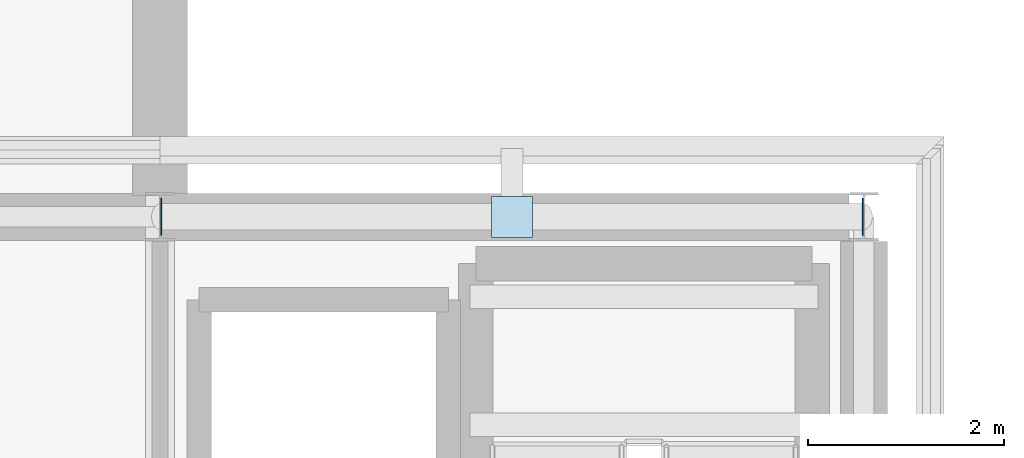
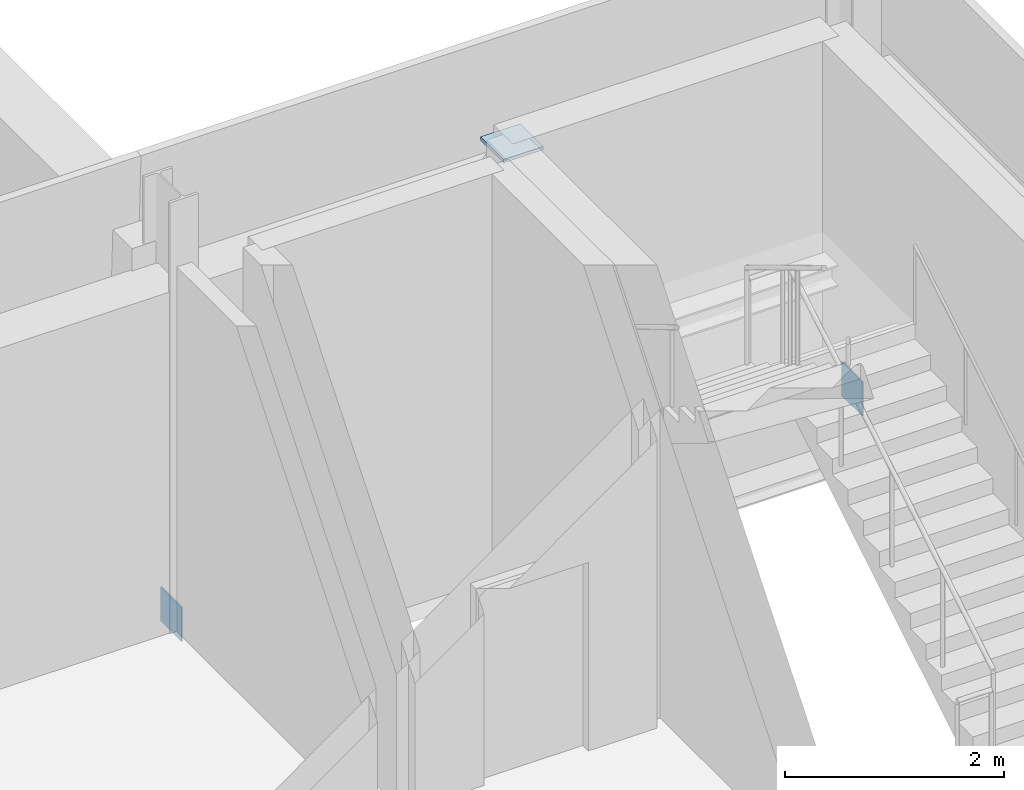
# One storey, part 71 of 121: 3 plates.
"""IFC4 building model written with IfcOpenShell, lengths in metres."""

from ifc_helpers import new_model, si_unit, direction, frame, origin, origin_2d, place, context, subcontext, project, spatial, rectangle, extrude, material, layer, layer_set, type_object, element, save


model = new_model("IFC4")

# Units and contexts
model_context = context("Model", 3, precision=1e-05, world=origin(), true_north=direction((0.0, 1.0)))
body_context = subcontext(model_context, "Body", "Model", "MODEL_VIEW")
ifc_project = project(units=[si_unit("LENGTHUNIT", "METRE"), si_unit("AREAUNIT", "SQUARE_METRE"), si_unit("VOLUMEUNIT", "CUBIC_METRE"), si_unit("PLANEANGLEUNIT", "RADIAN"), si_unit("MASSUNIT", "GRAM", prefix="KILO")], contexts=[model_context])

# Site, building, storey
site_placement = place(None, origin())
site = spatial("IfcSite", under=ifc_project, at=site_placement, CompositionType="ELEMENT")
building_placement = place(site_placement, origin())
building = spatial("IfcBuilding", under=site, at=building_placement, Name="Narikvali Park Central Library", CompositionType="ELEMENT")
storey_placement = place(building_placement, frame((0.0, 0.0, 5.39990234375)))
storey = spatial("IfcBuildingStorey", under=building, at=storey_placement, Name="L01", CompositionType="ELEMENT", Elevation=5.39990234375)

# Plates
ifc_material = material(Name="Steel S355", Category="steel")
ifc_layer_1 = layer(ifc_material, 0.013916015625, Name="Steel S355")
ifc_layer_set_1 = layer_set([ifc_layer_1], Name="Steel S355")
plate_type_1 = type_object("IfcPlateType", Name="Steel Hollow End Cap Plate 14", PredefinedType="SHEET", material=ifc_layer_set_1)
for number, where, z_axis, x_axis, name in (
    (1, (93.6123046875, 93.60009765625, -0.177734375), (0.0, 0.0, 1.0), (-1.0, 0.0, 0.0), "Hollow Section Steel End Cap BR-ECAP-4-L01-A0"),
    (2, (100.78759765625, 93.60009765625, -0.177734375), (0.0, 0.0, 1.0), (1.0, 0.0, 0.0), "Hollow Section Steel End Cap BR-ECAP-4-L01-B0"),
):
    element("IfcPlate", number, at=place(storey_placement, frame(where, z_axis=z_axis, x_axis=x_axis)), inside=storey, type_object=plate_type_1, Name=name, PredefinedType="SHEET", context=body_context, shape_type="SweptSolid", body=[
        extrude(rectangle(XDim=0.013916015625, YDim=0.3798828125, at=origin_2d()), origin(), (0.0, 0.0, 1.0), 0.3798828125),
    ])
ifc_layer_2 = layer(ifc_material, 0.0380859375, Name="Steel S355")
ifc_layer_set_2 = layer_set([ifc_layer_2], Name="Steel S355")
plate_type_2 = type_object("IfcPlateType", Name="Truss Splice Gusset Plate 38", PredefinedType="SHEET", material=ifc_layer_set_2)
plate_placement = place(storey_placement, frame((97.199951171875, 93.60009765625, 3.98095703125), z_axis=(0.0, 0.0, 1.0), x_axis=(1.0, 0.0, 0.0)))
element("IfcPlate", 3, at=plate_placement, inside=storey, type_object=plate_type_2, Name="V1 L01 Chevron Apex Gusset Cap Plate", PredefinedType="SHEET", context=body_context, shape_type="SweptSolid", body=[
    extrude(rectangle(XDim=0.419921875, YDim=0.419921875, at=origin_2d()), origin(), (0.0, 0.0, 1.0), 0.0380859375),
])

save(model, "model.ifc")
